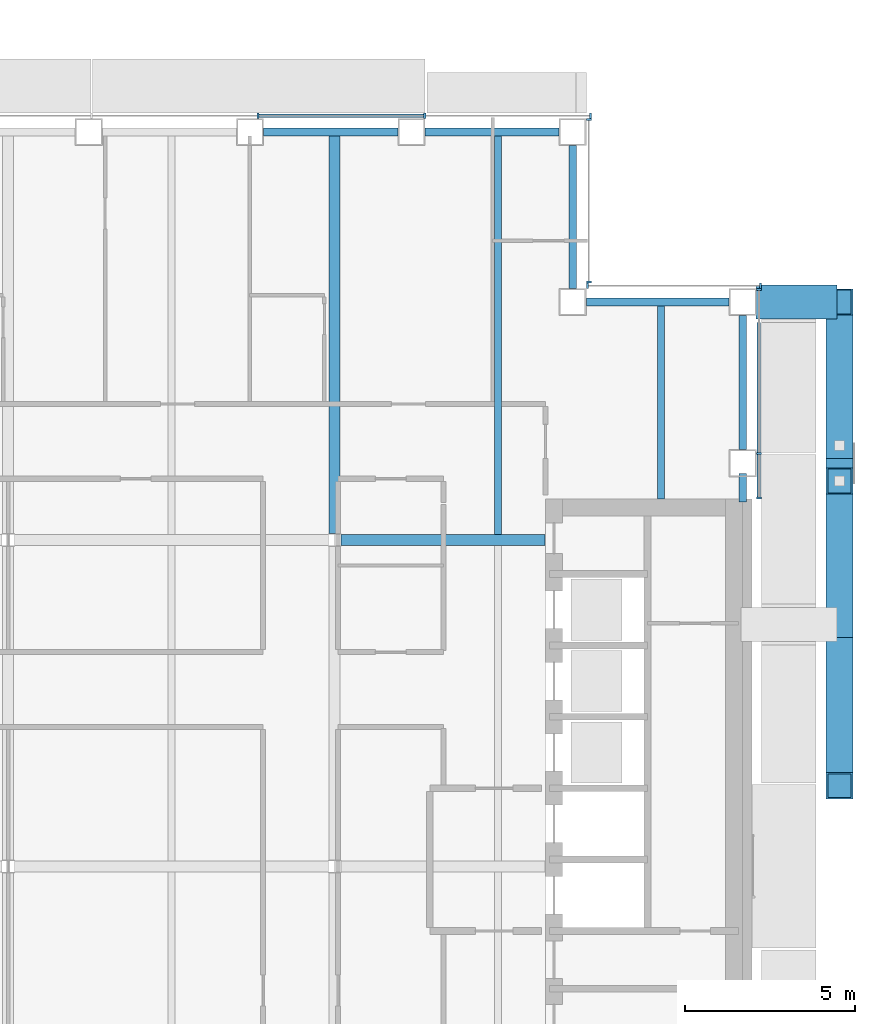
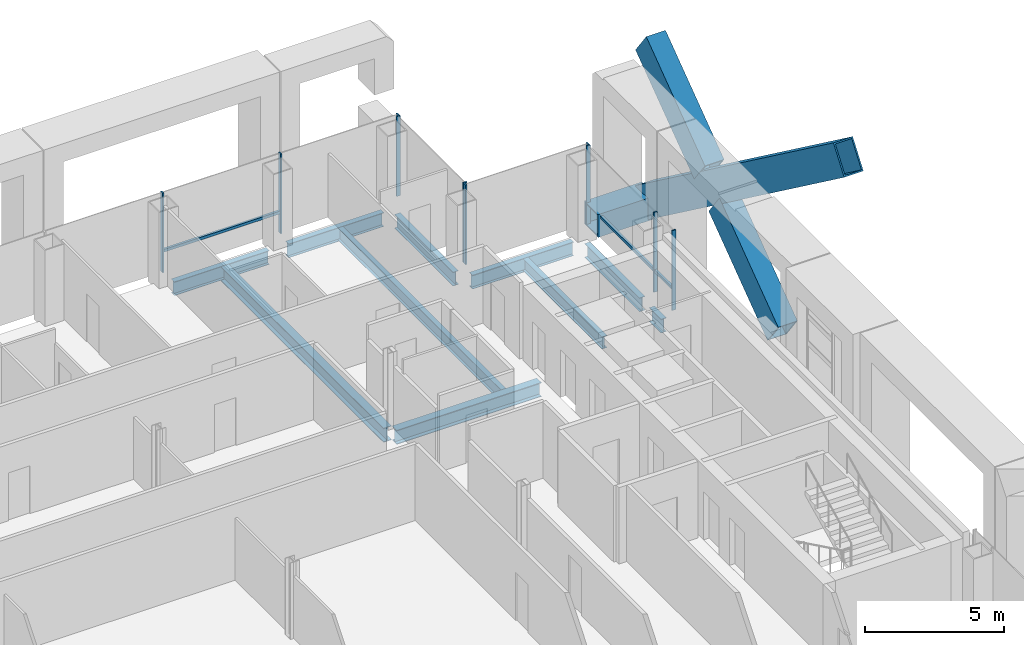
# One storey, part 10 of 22: 16 members, 11 beams, 4 elements without a shape of their own.
"""IFC4 building model written with IfcOpenShell, lengths in metres."""

from ifc_helpers import new_model, si_unit, direction, frame, origin, origin_2d, place, context, subcontext, project, spatial, rectangle, hollow_rectangle, i_section, extrude, material, material_profile, profile_set, type_object, element, aggregate, save


model = new_model("IFC4")

# Units and contexts
model_context = context("Model", 3, precision=1e-05, world=origin(), true_north=direction((0.0, 1.0)))
body_context = subcontext(model_context, "Body", "Model", "MODEL_VIEW")
ifc_project = project(units=[si_unit("LENGTHUNIT", "METRE"), si_unit("AREAUNIT", "SQUARE_METRE"), si_unit("VOLUMEUNIT", "CUBIC_METRE"), si_unit("PLANEANGLEUNIT", "RADIAN"), si_unit("MASSUNIT", "GRAM", prefix="KILO")], contexts=[model_context])

# Site, building, storey
site_placement = place(None, origin())
site = spatial("IfcSite", under=ifc_project, at=site_placement, CompositionType="ELEMENT")
building_placement = place(site_placement, origin())
building = spatial("IfcBuilding", under=site, at=building_placement, Name="Cobrizo Arcos Hotel Tower", CompositionType="ELEMENT")
storey_placement = place(building_placement, frame((0.0, 0.0, 176.0)))
storey = spatial("IfcBuildingStorey", under=building, at=storey_placement, Name="L45", CompositionType="ELEMENT", Elevation=176.0)

# Beam
ifc_material_1 = material(Name="Steel ASTM A572 Grade 50", Category="steel")
ifc_material_profile_1 = material_profile(ifc_material_1, hollow_rectangle(XDim=1.0, YDim=1.0, WallThickness=0.06005859375, at=origin_2d()), Name="BOX 1000X1000X60")
ifc_profile_set_1 = profile_set([ifc_material_profile_1], Name="Steel ASTM A572 Grade 50")
beam_type_1 = type_object("IfcBeamType", Name="BOX 1000X1000X60 brace connector strut", PredefinedType="BEAM", material=ifc_profile_set_1)
beam_1_placement = place(storey_placement, frame((21.989990234375, 16.60009765625, 0.5), z_axis=(1.0, 0.0, 0.0), x_axis=(0.0, 1.0, 0.0)))
element("IfcBeam", 1, at=beam_1_placement, inside=storey, type_object=beam_type_1, Name="Perimeter brace stub BS1, zone Z3, east face, offset +16.60 m, L45", PredefinedType="BEAM", context=body_context, shape_type="SweptSolid", body=[
    extrude(hollow_rectangle(XDim=1.0, YDim=1.0, WallThickness=0.06005859375, at=origin_2d()), origin(), (0.0, 0.0, 1.0), 2.380126953125),
])

# Members
ifc_material_profile_2 = material_profile(ifc_material_1, hollow_rectangle(XDim=0.800048828125, YDim=1.300048828125, WallThickness=0.06005859375, at=origin_2d()), Name="BOX 800X1300X60")
ifc_profile_set_2 = profile_set([ifc_material_profile_2], Name="Steel ASTM A572 Grade 50")
member_type_1 = type_object("IfcMemberType", Name="BOX 800X1300X60 perimeter brace", PredefinedType="BRACE", material=ifc_profile_set_2)
member_1_placement = place(storey_placement, frame((24.449951171875, 16.60009765625, 0.5), z_axis=(0.0, -0.804632973186, 0.593772497225), x_axis=(1.0, 0.0, 0.0)))
element("IfcMember", 2, at=member_1_placement, inside=storey, type_object=member_type_1, Name="Perimeter brace PBR3, zone Z3, east face, no. 17", PredefinedType="BRACE", context=body_context, shape_type="SweptSolid", body=[
    extrude(hollow_rectangle(XDim=0.800048828125, YDim=1.300048828125, WallThickness=0.06005859375, at=origin_2d()), origin(), (0.0, 0.0, 1.0), 17.68359375),
])
for number, where, z_axis, x_axis, name in (
    (3, (24.449951171875, 7.1142578125, 0.5), (0.0, 0.804623858684, 0.593784848271), (-1.0, 0.0, 0.0), "Perimeter brace PBR3, zone Z3, east face, no. 16"),
    (4, (24.449951171875, 12.38037109375, 4.385986328125), (0.0, 0.804623858684, 0.593784848271), (-1.0, 0.0, 0.0), "Perimeter brace PBR3, zone Z3, east face, no. 16b"),
):
    element("IfcMember", number, at=place(storey_placement, frame(where, z_axis=z_axis, x_axis=x_axis)), inside=storey, type_object=member_type_1, Name=name, PredefinedType="BRACE", context=body_context, shape_type="SweptSolid", body=[
        extrude(hollow_rectangle(XDim=0.800048828125, YDim=1.300048828125, WallThickness=0.06005859375, at=origin_2d()), origin(), (0.0, 0.0, 1.0), 5.244384765625),
    ])

# Curtain wall, members
ifc_material_2 = material(Name="Aluminium 6063-T6 anodised bronze", Category="aluminium")
curtain_wall_type = type_object("IfcCurtainWallType", Name="CW-A guest facade", PredefinedType="NOTDEFINED", material=ifc_material_2)
curtain_wall_1_placement = place(storey_placement, origin())
curtain_wall_1 = element("IfcCurtainWall", 5, at=curtain_wall_1_placement, inside=storey, type_object=curtain_wall_type, Name="CW-A L45 E face", PredefinedType="NOTDEFINED")
ifc_material_profile_3 = material_profile(ifc_material_2, rectangle(XDim=0.14990234375, YDim=0.06005859375, at=origin_2d()), Name="CW-A mullion 150x60")
ifc_profile_set_3 = profile_set([ifc_material_profile_3], Name="Aluminium 6063-T6 anodised bronze")
member_type_2 = type_object("IfcMemberType", Name="CW-A mullion 150x60", PredefinedType="MULLION", material=ifc_profile_set_3)
member_2_placement = place(storey_placement, frame((22.074951171875, 10.830078125, 0.0), z_axis=(0.0, 0.0, 1.0), x_axis=(1.0, 0.0, 0.0)))
member_2 = element("IfcMember", 6, at=member_2_placement, type_object=member_type_2, Name="CW-A mullion 1", PredefinedType="MULLION", context=body_context, shape_type="SweptSolid", body=[
    extrude(rectangle(XDim=0.14990234375, YDim=0.06005859375, at=origin_2d()), origin(), (0.0, 0.0, 1.0), 3.5),
])
member_3_placement = place(storey_placement, frame((22.074951171875, 12.142822265625, 0.0), z_axis=(0.0, 0.0, 1.0), x_axis=(1.0, 0.0, 0.0)))
member_3 = element("IfcMember", 7, at=member_3_placement, type_object=member_type_2, Name="CW-A mullion 2", PredefinedType="MULLION", context=body_context, shape_type="SweptSolid", body=[
    extrude(rectangle(XDim=0.14990234375, YDim=0.06005859375, at=origin_2d()), origin(), (0.0, 0.0, 1.0), 3.5),
])
member_4_placement = place(storey_placement, frame((22.074951171875, 16.969970703125, 0.0), z_axis=(0.0, 0.0, 1.0), x_axis=(1.0, 0.0, 0.0)))
member_4 = element("IfcMember", 8, at=member_4_placement, type_object=member_type_2, Name="CW-A mullion 3", PredefinedType="MULLION", context=body_context, shape_type="SweptSolid", body=[
    extrude(rectangle(XDim=0.14990234375, YDim=0.06005859375, at=origin_2d()), origin(), (0.0, 0.0, 1.0), 3.5),
])

curtain_wall_2_placement = place(storey_placement, origin())
curtain_wall_2 = element("IfcCurtainWall", 9, at=curtain_wall_2_placement, inside=storey, type_object=curtain_wall_type, Name="CW-A L45 N face", PredefinedType="NOTDEFINED")
member_5_placement = place(storey_placement, frame((22.1201171875, 17.074951171875, 0.0), z_axis=(0.0, 0.0, 1.0), x_axis=(0.0, 1.0, 0.0)))
member_5 = element("IfcMember", 10, at=member_5_placement, type_object=member_type_2, Name="CW-A mullion 1", PredefinedType="MULLION", context=body_context, shape_type="SweptSolid", body=[
    extrude(rectangle(XDim=0.14990234375, YDim=0.06005859375, at=origin_2d()), origin(), (0.0, 0.0, 1.0), 3.5),
])
member_6_placement = place(storey_placement, frame((17.030029296875, 17.074951171875, 0.0), z_axis=(0.0, 0.0, 1.0), x_axis=(0.0, 1.0, 0.0)))
member_6 = element("IfcMember", 11, at=member_6_placement, type_object=member_type_2, Name="CW-A mullion 2", PredefinedType="MULLION", context=body_context, shape_type="SweptSolid", body=[
    extrude(rectangle(XDim=0.14990234375, YDim=0.06005859375, at=origin_2d()), origin(), (0.0, 0.0, 1.0), 3.5),
])
aggregate(curtain_wall_2, [member_5, member_6])

curtain_wall_3_placement = place(storey_placement, origin())
curtain_wall_3 = element("IfcCurtainWall", 12, at=curtain_wall_3_placement, inside=storey, type_object=curtain_wall_type, Name="CW-A L45 E face", PredefinedType="NOTDEFINED")
member_7_placement = place(storey_placement, frame((17.074951171875, 17.179931640625, 0.0), z_axis=(0.0, 0.0, 1.0), x_axis=(1.0, 0.0, 0.0)))
member_7 = element("IfcMember", 13, at=member_7_placement, type_object=member_type_2, Name="CW-A mullion 1", PredefinedType="MULLION", context=body_context, shape_type="SweptSolid", body=[
    extrude(rectangle(XDim=0.14990234375, YDim=0.06005859375, at=origin_2d()), origin(), (0.0, 0.0, 1.0), 3.5),
])
member_8_placement = place(storey_placement, frame((17.074951171875, 21.969970703125, 0.0), z_axis=(0.0, 0.0, 1.0), x_axis=(1.0, 0.0, 0.0)))
member_8 = element("IfcMember", 14, at=member_8_placement, type_object=member_type_2, Name="CW-A mullion 2", PredefinedType="MULLION", context=body_context, shape_type="SweptSolid", body=[
    extrude(rectangle(XDim=0.14990234375, YDim=0.06005859375, at=origin_2d()), origin(), (0.0, 0.0, 1.0), 3.5),
])
aggregate(curtain_wall_3, [member_7, member_8])

curtain_wall_4_placement = place(storey_placement, origin())
curtain_wall_4 = element("IfcCurtainWall", 15, at=curtain_wall_4_placement, inside=storey, type_object=curtain_wall_type, Name="CW-A L45 N face", PredefinedType="NOTDEFINED")
member_9_placement = place(storey_placement, frame((17.1201171875, 22.074951171875, 0.0), z_axis=(0.0, 0.0, 1.0), x_axis=(0.0, 1.0, 0.0)))
member_9 = element("IfcMember", 16, at=member_9_placement, type_object=member_type_2, Name="CW-A mullion 1", PredefinedType="MULLION", context=body_context, shape_type="SweptSolid", body=[
    extrude(rectangle(XDim=0.14990234375, YDim=0.06005859375, at=origin_2d()), origin(), (0.0, 0.0, 1.0), 3.5),
])
member_10_placement = place(storey_placement, frame((12.25, 22.074951171875, 0.0), z_axis=(0.0, 0.0, 1.0), x_axis=(0.0, 1.0, 0.0)))
member_10 = element("IfcMember", 17, at=member_10_placement, type_object=member_type_2, Name="CW-A mullion 2", PredefinedType="MULLION", context=body_context, shape_type="SweptSolid", body=[
    extrude(rectangle(XDim=0.14990234375, YDim=0.06005859375, at=origin_2d()), origin(), (0.0, 0.0, 1.0), 3.5),
])
member_11_placement = place(storey_placement, frame((7.35009765625, 22.074951171875, 0.0), z_axis=(0.0, 0.0, 1.0), x_axis=(0.0, 1.0, 0.0)))
member_11 = element("IfcMember", 18, at=member_11_placement, type_object=member_type_2, Name="CW-A mullion 3", PredefinedType="MULLION", context=body_context, shape_type="SweptSolid", body=[
    extrude(rectangle(XDim=0.14990234375, YDim=0.06005859375, at=origin_2d()), origin(), (0.0, 0.0, 1.0), 3.5),
])

# Member
ifc_material_profile_4 = material_profile(ifc_material_2, rectangle(XDim=0.10009765625, YDim=0.1201171875, at=origin_2d()), Name="CW-A transom 120x100")
ifc_profile_set_4 = profile_set([ifc_material_profile_4], Name="Aluminium 6063-T6 anodised bronze")
member_type_3 = type_object("IfcMemberType", Name="CW-A transom 120x100", PredefinedType="USERDEFINED", material=ifc_profile_set_4)
member_12_placement = place(storey_placement, frame((22.074951171875, 10.860107421875, 0.929931640625), z_axis=(0.0, 1.0, 0.0), x_axis=(-1.0, 0.0, 0.0)))
member_12 = element("IfcMember", 19, at=member_12_placement, type_object=member_type_3, Name="CW-A transom 1587", ObjectType="TRANSOM", PredefinedType="USERDEFINED", context=body_context, shape_type="SweptSolid", body=[
    extrude(rectangle(XDim=0.10009765625, YDim=0.1201171875, at=origin_2d()), origin(), (0.0, 0.0, 1.0), 1.252685546875),
])

member_13_placement = place(storey_placement, frame((22.074951171875, 12.1728515625, 0.929931640625), z_axis=(0.0, 1.0, 0.0), x_axis=(-1.0, 0.0, 0.0)))
member_13 = element("IfcMember", 20, at=member_13_placement, type_object=member_type_3, Name="CW-A transom 1588", ObjectType="TRANSOM", PredefinedType="USERDEFINED", context=body_context, shape_type="SweptSolid", body=[
    extrude(rectangle(XDim=0.10009765625, YDim=0.1201171875, at=origin_2d()), origin(), (0.0, 0.0, 1.0), 3.8271484375),
])

aggregate(curtain_wall_1, [member_2, member_3, member_4, member_12, member_13])

member_14_placement = place(storey_placement, frame((12.219970703125, 22.074951171875, 0.929931640625), z_axis=(-1.0, 0.0, 0.0), x_axis=(0.0, -1.0, 0.0)))
member_14 = element("IfcMember", 21, at=member_14_placement, type_object=member_type_3, Name="CW-A transom 1592", ObjectType="TRANSOM", PredefinedType="USERDEFINED", context=body_context, shape_type="SweptSolid", body=[
    extrude(rectangle(XDim=0.10009765625, YDim=0.1201171875, at=origin_2d()), origin(), (0.0, 0.0, 1.0), 4.840087890625),
])

aggregate(curtain_wall_4, [member_9, member_10, member_11, member_14])

# Beams
ifc_material_3 = material(Name="Steel ASTM A992 Grade 50", Category="steel")
ifc_material_profile_5 = material_profile(ifc_material_3, i_section(OverallWidth=0.209228515625, OverallDepth=0.533447265625, WebThickness=0.01025390625, FlangeThickness=0.015625, at=origin_2d()), Name="W21X62")
ifc_profile_set_5 = profile_set([ifc_material_profile_5], Name="Steel ASTM A992 Grade 50")
beam_type_2 = type_object("IfcBeamType", Name="W21X62 joist", PredefinedType="JOIST", material=ifc_profile_set_5)
beam_2_placement = place(storey_placement, frame((14.39990234375, 9.763916015625, -0.416748046875), z_axis=(0.0, 1.0, 0.0), x_axis=(-1.0, 0.0, 0.0)))
element("IfcBeam", 22, at=beam_2_placement, inside=storey, type_object=beam_type_2, Name="Floor joist J1, L45, no. 018", PredefinedType="JOIST", context=body_context, shape_type="SweptSolid", body=[
    extrude(i_section(OverallWidth=0.209228515625, OverallDepth=0.533447265625, WebThickness=0.01025390625, FlangeThickness=0.015625, at=origin_2d()), origin(), (0.0, 0.0, 1.0), 11.74609375),
])
beam_3_placement = place(storey_placement, frame((19.199951171875, 10.81005859375, -0.416748046875), z_axis=(0.0, 1.0, 0.0), x_axis=(-1.0, 0.0, 0.0)))
element("IfcBeam", 23, at=beam_3_placement, inside=storey, type_object=beam_type_2, Name="Floor joist J1, L45, no. 020", PredefinedType="JOIST", context=body_context, shape_type="SweptSolid", body=[
    extrude(i_section(OverallWidth=0.209228515625, OverallDepth=0.533447265625, WebThickness=0.01025390625, FlangeThickness=0.015625, at=origin_2d()), origin(), (0.0, 0.0, 1.0), 5.699951171875),
])
ifc_material_profile_6 = material_profile(ifc_material_3, i_section(OverallWidth=0.32763671875, OverallDepth=0.622314453125, WebThickness=0.015380859375, FlangeThickness=0.0244140625, at=origin_2d()), Name="W24X131")
ifc_profile_set_6 = profile_set([ifc_material_profile_6], Name="Steel ASTM A992 Grade 50")
beam_type_3 = type_object("IfcBeamType", Name="W24X131 girder", PredefinedType="BEAM", material=ifc_profile_set_6)
beam_4_placement = place(storey_placement, frame((9.78662109375, 9.60009765625, -0.461181640625), z_axis=(1.0, 0.0, 0.0), x_axis=(0.0, 1.0, 0.0)))
element("IfcBeam", 24, at=beam_4_placement, inside=storey, type_object=beam_type_3, Name="Floor girder G1, L45, no. 012", PredefinedType="BEAM", context=body_context, shape_type="SweptSolid", body=[
    extrude(i_section(OverallWidth=0.32763671875, OverallDepth=0.622314453125, WebThickness=0.015380859375, FlangeThickness=0.0244140625, at=origin_2d()), origin(), (0.0, 0.0, 1.0), 6.00341796875),
])
beam_5_placement = place(storey_placement, frame((9.60009765625, 9.78662109375, -0.461181640625), z_axis=(0.0, 1.0, 0.0), x_axis=(-1.0, 0.0, 0.0)))
element("IfcBeam", 25, at=beam_5_placement, inside=storey, type_object=beam_type_3, Name="Floor girder G1, L45, no. 024", PredefinedType="BEAM", context=body_context, shape_type="SweptSolid", body=[
    extrude(i_section(OverallWidth=0.32763671875, OverallDepth=0.622314453125, WebThickness=0.015380859375, FlangeThickness=0.0244140625, at=origin_2d()), origin(), (0.0, 0.0, 1.0), 11.723388671875),
])
ifc_material_profile_7 = material_profile(ifc_material_3, i_section(OverallWidth=0.228271484375, OverallDepth=0.607177734375, WebThickness=0.01123046875, FlangeThickness=0.017333984375, at=origin_2d()), Name="W24X76")
ifc_profile_set_7 = profile_set([ifc_material_profile_7], Name="Steel ASTM A992 Grade 50")
beam_type_4 = type_object("IfcBeamType", Name="W24X76 spandrel", PredefinedType="SPANDREL", material=ifc_profile_set_7)
beam_6_placement = place(storey_placement, frame((21.60009765625, 10.7099609375, -0.45361328125), z_axis=(0.0, 1.0, 0.0), x_axis=(-1.0, 0.0, 0.0)))
element("IfcBeam", 26, at=beam_6_placement, inside=storey, type_object=beam_type_4, Name="Spandrel beam W24X76, L45, no. 012", PredefinedType="SPANDREL", context=body_context, shape_type="SweptSolid", body=[
    extrude(i_section(OverallWidth=0.228271484375, OverallDepth=0.607177734375, WebThickness=0.01123046875, FlangeThickness=0.017333984375, at=origin_2d()), origin(), (0.0, 0.0, 1.0), 0.846923828125),
])
beam_7_placement = place(storey_placement, frame((21.60009765625, 12.257080078125, -0.45361328125), z_axis=(0.0, 1.0, 0.0), x_axis=(-1.0, 0.0, 0.0)))
element("IfcBeam", 27, at=beam_7_placement, inside=storey, type_object=beam_type_4, Name="Spandrel beam W24X76, L45, no. 013", PredefinedType="SPANDREL", context=body_context, shape_type="SweptSolid", body=[
    extrude(i_section(OverallWidth=0.228271484375, OverallDepth=0.607177734375, WebThickness=0.01123046875, FlangeThickness=0.017333984375, at=origin_2d()), origin(), (0.0, 0.0, 1.0), 3.94287109375),
])
for number, where, z_axis, x_axis, name in (
    (28, (21.199951171875, 16.60009765625, -0.45361328125), (-1.0, 0.0, 0.0), (0.0, -1.0, 0.0), "Spandrel beam W24X76, L45, no. 014"),
    (29, (16.60009765625, 17.0, -0.45361328125), (0.0, 1.0, 0.0), (-1.0, 0.0, 0.0), "Spandrel beam W24X76, L45, no. 015"),
):
    element("IfcBeam", number, at=place(storey_placement, frame(where, z_axis=z_axis, x_axis=x_axis)), inside=storey, type_object=beam_type_4, Name=name, PredefinedType="SPANDREL", context=body_context, shape_type="SweptSolid", body=[
        extrude(i_section(OverallWidth=0.228271484375, OverallDepth=0.607177734375, WebThickness=0.01123046875, FlangeThickness=0.017333984375, at=origin_2d()), origin(), (0.0, 0.0, 1.0), 4.199951171875),
    ])
beam_8_placement = place(storey_placement, frame((16.199951171875, 21.60009765625, -0.45361328125), z_axis=(-1.0, 0.0, 0.0), x_axis=(0.0, -1.0, 0.0)))
element("IfcBeam", 30, at=beam_8_placement, inside=storey, type_object=beam_type_4, Name="Spandrel beam W24X76, L45, no. 016", PredefinedType="SPANDREL", context=body_context, shape_type="SweptSolid", body=[
    extrude(i_section(OverallWidth=0.228271484375, OverallDepth=0.607177734375, WebThickness=0.01123046875, FlangeThickness=0.017333984375, at=origin_2d()), origin(), (0.0, 0.0, 1.0), 3.94287109375),
])
beam_9_placement = place(storey_placement, frame((11.45703125, 21.60009765625, -0.45361328125), z_axis=(-1.0, 0.0, 0.0), x_axis=(0.0, -1.0, 0.0)))
element("IfcBeam", 31, at=beam_9_placement, inside=storey, type_object=beam_type_4, Name="Spandrel beam W24X76, L45, no. 017", PredefinedType="SPANDREL", context=body_context, shape_type="SweptSolid", body=[
    extrude(i_section(OverallWidth=0.228271484375, OverallDepth=0.607177734375, WebThickness=0.01123046875, FlangeThickness=0.017333984375, at=origin_2d()), origin(), (0.0, 0.0, 1.0), 3.943115234375),
])

save(model, "model.ifc")
